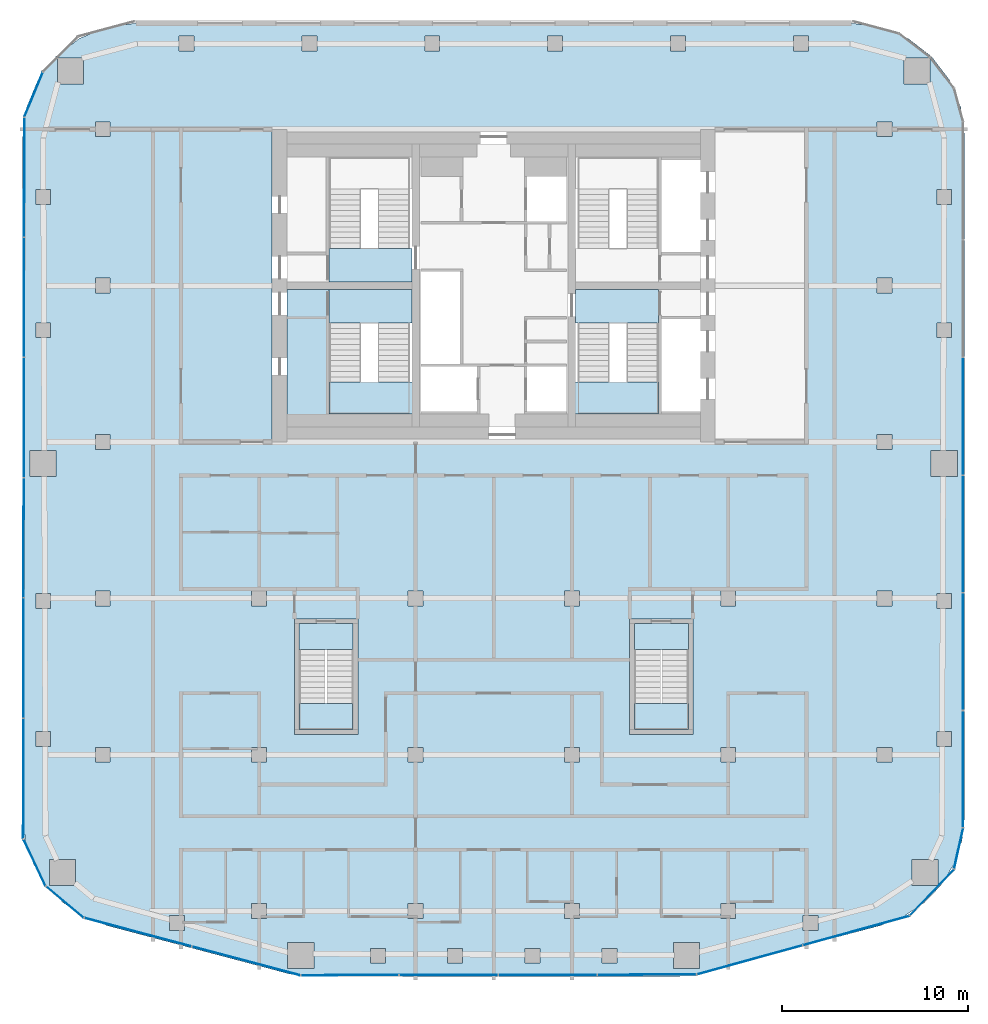
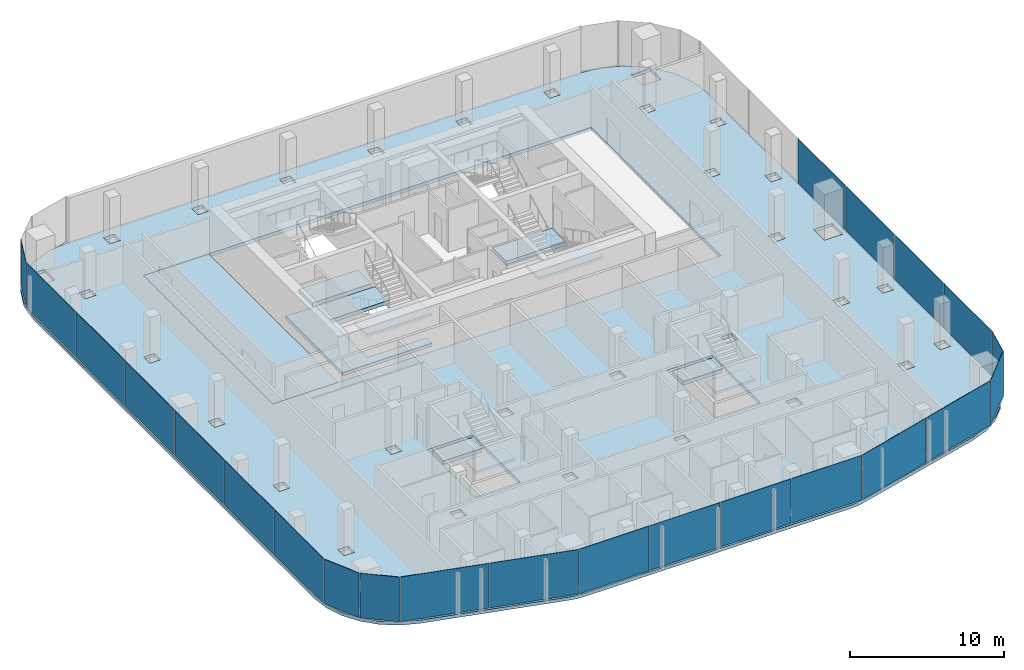
# One storey, part 12 of 20: 23 plates, 12 slabs, 14 elements without a shape of their own.
"""IFC4 building model written with IfcOpenShell, lengths in metres."""

from ifc_helpers import new_model, si_unit, direction, frame, origin, origin_2d, place, context, subcontext, project, spatial, polyline, rectangle, outline, extrude, material, layer, layer_set, type_object, element, aggregate, save


model = new_model("IFC4")

# Units and contexts
model_context = context("Model", 3, precision=1e-05, world=origin(), true_north=direction((0.0, 1.0)))
body_context = subcontext(model_context, "Body", "Model", "MODEL_VIEW")
ifc_project = project(units=[si_unit("LENGTHUNIT", "METRE"), si_unit("AREAUNIT", "SQUARE_METRE"), si_unit("VOLUMEUNIT", "CUBIC_METRE"), si_unit("PLANEANGLEUNIT", "RADIAN"), si_unit("MASSUNIT", "GRAM", prefix="KILO")], contexts=[model_context])

# Site, building, storey
site_placement = place(None, origin())
site = spatial("IfcSite", under=ifc_project, at=site_placement, CompositionType="ELEMENT")
building_placement = place(site_placement, origin())
building = spatial("IfcBuilding", under=site, at=building_placement, Name="Marenta Gate Hotel Tower", CompositionType="ELEMENT")
storey_placement = place(building_placement, frame((0.0, 0.0, 216.5)))
storey = spatial("IfcBuildingStorey", under=building, at=storey_placement, Name="L50", CompositionType="ELEMENT", Elevation=216.5)

# Slabs
ifc_material_1 = material(Name="Concrete C35", Category="concrete")
ifc_layer_1 = layer(ifc_material_1, 0.260009765625)
ifc_layer_set_1 = layer_set([ifc_layer_1], Name="Concrete C35")
slab_type_1 = type_object("IfcSlabType", Name="Concrete floor slab 260", PredefinedType="FLOOR", material=ifc_layer_set_1)
slab_1_placement = place(storey_placement, frame((0.0, 0.0, -0.260009765625)))
element("IfcSlab", 1, at=slab_1_placement, inside=storey, type_object=slab_type_1, Name="L50-SL-1", PredefinedType="FLOOR", context=body_context, shape_type="SweptSolid", body=[
    extrude(outline(polyline([(-23.11376953125, -24.76416015625), (-24.035400390625, -23.803955078125), (-24.72705078125, -22.6669921875), (-25.155517578125, -21.4072265625), (-25.300048828125, -20.08984375), (-25.300048828125, 16.406494140625), (-25.093017578125, 17.97900390625), (-24.483642578125, 19.450439453125), (-23.513916015625, 20.7138671875), (-22.25048828125, 21.68359375), (-20.779052734375, 22.29296875), (-19.20654296875, 22.5), (19.20654296875, 22.5), (20.779052734375, 22.29296875), (22.25048828125, 21.68359375), (23.513916015625, 20.7138671875), (24.483642578125, 19.450439453125), (25.093017578125, 17.97900390625), (25.300048828125, 16.406494140625), (25.300048828125, -20.08984375), (25.155517578125, -21.4072265625), (24.72705078125, -22.6669921875), (24.035400390625, -23.803955078125), (23.11376953125, -24.76416015625), (22.005859375, -25.501220703125), (20.76953125, -25.978759765625), (11.026611328125, -28.563720703125), (10.508544921875, -28.665771484375), (9.981689453125, -28.699951171875), (-9.981689453125, -28.699951171875), (-10.508544921875, -28.665771484375), (-11.026611328125, -28.563720703125), (-20.76953125, -25.978759765625), (-22.005859375, -25.501220703125), (-23.11376953125, -24.76416015625)]), holes=[polyline([(-16.800048828125, 0.0), (16.800048828125, 0.0), (16.800048828125, 16.800048828125), (-16.800048828125, 16.800048828125), (-16.800048828125, 0.0)]), polyline([(-16.606689453125, -25.439208984375), (-17.40673828125, -25.439208984375), (-17.40673828125, -26.239013671875), (-16.606689453125, -26.239013671875), (-16.606689453125, -25.439208984375)]), polyline([(-12.199951171875, -25.60009765625), (-12.199951171875, -24.800048828125), (-13.0, -24.800048828125), (-13.0, -25.60009765625), (-12.199951171875, -25.60009765625)]), polyline([(-22.462890625, -23.8330078125), (-22.462890625, -22.43310546875), (-23.863037109375, -22.43310546875), (-23.863037109375, -23.8330078125), (-22.462890625, -23.8330078125)]), polyline([(-12.199951171875, -16.39990234375), (-13.0, -16.39990234375), (-13.0, -17.199951171875), (-12.199951171875, -17.199951171875), (-12.199951171875, -16.39990234375)]), polyline([(-20.60009765625, -17.199951171875), (-20.60009765625, -16.39990234375), (-21.39990234375, -16.39990234375), (-21.39990234375, -17.199951171875), (-20.60009765625, -17.199951171875)]), polyline([(-23.800048828125, -16.351806640625), (-23.800048828125, -15.552001953125), (-24.60009765625, -15.552001953125), (-24.60009765625, -16.351806640625), (-23.800048828125, -16.351806640625)]), polyline([(-23.800048828125, -8.15087890625), (-24.60009765625, -8.15087890625), (-24.60009765625, -8.950927734375), (-23.800048828125, -8.950927734375), (-23.800048828125, -8.15087890625)]), polyline([(-12.199951171875, -8.800048828125), (-12.199951171875, -8.0), (-13.0, -8.0), (-13.0, -8.800048828125), (-12.199951171875, -8.800048828125)]), polyline([(-20.60009765625, -8.800048828125), (-20.60009765625, -8.0), (-21.39990234375, -8.0), (-21.39990234375, -8.800048828125), (-20.60009765625, -8.800048828125)]), polyline([(-23.5, -0.449951171875), (-24.89990234375, -0.449951171875), (-24.89990234375, -1.85009765625), (-23.5, -1.85009765625), (-23.5, -0.449951171875)]), polyline([(-20.60009765625, -0.39990234375), (-20.60009765625, 0.39990234375), (-21.39990234375, 0.39990234375), (-21.39990234375, -0.39990234375), (-20.60009765625, -0.39990234375)]), polyline([(-23.800048828125, 5.603271484375), (-23.800048828125, 6.4033203125), (-24.60009765625, 6.4033203125), (-24.60009765625, 5.603271484375), (-23.800048828125, 5.603271484375)]), polyline([(-20.60009765625, 8.800048828125), (-21.39990234375, 8.800048828125), (-21.39990234375, 8.0), (-20.60009765625, 8.0), (-20.60009765625, 8.800048828125)]), polyline([(-23.800048828125, 12.75634765625), (-23.800048828125, 13.556396484375), (-24.60009765625, 13.556396484375), (-24.60009765625, 12.75634765625), (-23.800048828125, 12.75634765625)]), polyline([(-20.60009765625, 16.39990234375), (-20.60009765625, 17.199951171875), (-21.39990234375, 17.199951171875), (-21.39990234375, 16.39990234375), (-20.60009765625, 16.39990234375)]), polyline([(-22.035400390625, 20.635498046875), (-23.435546875, 20.635498046875), (-23.435546875, 19.235595703125), (-22.035400390625, 19.235595703125), (-22.035400390625, 20.635498046875)]), polyline([(-16.10693359375, 21.0), (-16.10693359375, 21.800048828125), (-16.906982421875, 21.800048828125), (-16.906982421875, 21.0), (-16.10693359375, 21.0)]), polyline([(-5.820068359375, -28.0), (-5.820068359375, -27.199951171875), (-6.6201171875, -27.199951171875), (-6.6201171875, -28.0), (-5.820068359375, -28.0)]), polyline([(6.6201171875, -27.199951171875), (5.820068359375, -27.199951171875), (5.820068359375, -28.0), (6.6201171875, -28.0), (6.6201171875, -27.199951171875)]), polyline([(2.473388671875, -28.0), (2.473388671875, -27.199951171875), (1.67333984375, -27.199951171875), (1.67333984375, -28.0), (2.473388671875, -28.0)]), polyline([(-1.67333984375, -28.0), (-1.67333984375, -27.199951171875), (-2.473388671875, -27.199951171875), (-2.473388671875, -28.0), (-1.67333984375, -28.0)]), polyline([(-9.666259765625, -28.27490234375), (-9.666259765625, -26.874755859375), (-11.06640625, -26.874755859375), (-11.06640625, -28.27490234375), (-9.666259765625, -28.27490234375)]), polyline([(11.06640625, -28.27490234375), (11.06640625, -26.874755859375), (9.666259765625, -26.874755859375), (9.666259765625, -28.27490234375), (11.06640625, -28.27490234375)]), polyline([(13.0, -25.60009765625), (13.0, -24.800048828125), (12.199951171875, -24.800048828125), (12.199951171875, -25.60009765625), (13.0, -25.60009765625)]), polyline([(4.60009765625, -25.60009765625), (4.60009765625, -24.800048828125), (3.800048828125, -24.800048828125), (3.800048828125, -25.60009765625), (4.60009765625, -25.60009765625)]), polyline([(-3.800048828125, -24.800048828125), (-4.60009765625, -24.800048828125), (-4.60009765625, -25.60009765625), (-3.800048828125, -25.60009765625), (-3.800048828125, -24.800048828125)]), polyline([(4.60009765625, -17.199951171875), (4.60009765625, -16.39990234375), (3.800048828125, -16.39990234375), (3.800048828125, -17.199951171875), (4.60009765625, -17.199951171875)]), polyline([(-3.800048828125, -17.199951171875), (-3.800048828125, -16.39990234375), (-4.60009765625, -16.39990234375), (-4.60009765625, -17.199951171875), (-3.800048828125, -17.199951171875)]), polyline([(4.60009765625, -8.0), (3.800048828125, -8.0), (3.800048828125, -8.800048828125), (4.60009765625, -8.800048828125), (4.60009765625, -8.0)]), polyline([(-3.800048828125, -8.800048828125), (-3.800048828125, -8.0), (-4.60009765625, -8.0), (-4.60009765625, -8.800048828125), (-3.800048828125, -8.800048828125)]), polyline([(-2.9013671875, 21.0), (-2.9013671875, 21.800048828125), (-3.701416015625, 21.800048828125), (-3.701416015625, 21.0), (-2.9013671875, 21.0)]), polyline([(3.701416015625, 21.800048828125), (2.9013671875, 21.800048828125), (2.9013671875, 21.0), (3.701416015625, 21.0), (3.701416015625, 21.800048828125)]), polyline([(10.30419921875, 21.0), (10.30419921875, 21.800048828125), (9.504150390625, 21.800048828125), (9.504150390625, 21.0), (10.30419921875, 21.0)]), polyline([(-9.504150390625, 21.0), (-9.504150390625, 21.800048828125), (-10.30419921875, 21.800048828125), (-10.30419921875, 21.0), (-9.504150390625, 21.0)]), polyline([(17.40673828125, -25.439208984375), (16.606689453125, -25.439208984375), (16.606689453125, -26.239013671875), (17.40673828125, -26.239013671875), (17.40673828125, -25.439208984375)]), polyline([(23.863037109375, -23.8330078125), (23.863037109375, -22.43310546875), (22.462890625, -22.43310546875), (22.462890625, -23.8330078125), (23.863037109375, -23.8330078125)]), polyline([(13.0, -17.199951171875), (13.0, -16.39990234375), (12.199951171875, -16.39990234375), (12.199951171875, -17.199951171875), (13.0, -17.199951171875)]), polyline([(21.39990234375, -16.39990234375), (20.60009765625, -16.39990234375), (20.60009765625, -17.199951171875), (21.39990234375, -17.199951171875), (21.39990234375, -16.39990234375)]), polyline([(24.60009765625, -16.351806640625), (24.60009765625, -15.552001953125), (23.800048828125, -15.552001953125), (23.800048828125, -16.351806640625), (24.60009765625, -16.351806640625)]), polyline([(24.60009765625, -8.950927734375), (24.60009765625, -8.15087890625), (23.800048828125, -8.15087890625), (23.800048828125, -8.950927734375), (24.60009765625, -8.950927734375)]), polyline([(13.0, -8.0), (12.199951171875, -8.0), (12.199951171875, -8.800048828125), (13.0, -8.800048828125), (13.0, -8.0)]), polyline([(21.39990234375, -8.800048828125), (21.39990234375, -8.0), (20.60009765625, -8.0), (20.60009765625, -8.800048828125), (21.39990234375, -8.800048828125)]), polyline([(24.89990234375, -1.85009765625), (24.89990234375, -0.449951171875), (23.5, -0.449951171875), (23.5, -1.85009765625), (24.89990234375, -1.85009765625)]), polyline([(21.39990234375, 0.39990234375), (20.60009765625, 0.39990234375), (20.60009765625, -0.39990234375), (21.39990234375, -0.39990234375), (21.39990234375, 0.39990234375)]), polyline([(24.60009765625, 5.603271484375), (24.60009765625, 6.4033203125), (23.800048828125, 6.4033203125), (23.800048828125, 5.603271484375), (24.60009765625, 5.603271484375)]), polyline([(21.39990234375, 8.0), (21.39990234375, 8.800048828125), (20.60009765625, 8.800048828125), (20.60009765625, 8.0), (21.39990234375, 8.0)]), polyline([(24.60009765625, 12.75634765625), (24.60009765625, 13.556396484375), (23.800048828125, 13.556396484375), (23.800048828125, 12.75634765625), (24.60009765625, 12.75634765625)]), polyline([(21.39990234375, 16.39990234375), (21.39990234375, 17.199951171875), (20.60009765625, 17.199951171875), (20.60009765625, 16.39990234375), (21.39990234375, 16.39990234375)]), polyline([(23.435546875, 19.235595703125), (23.435546875, 20.635498046875), (22.035400390625, 20.635498046875), (22.035400390625, 19.235595703125), (23.435546875, 19.235595703125)]), polyline([(16.906982421875, 21.0), (16.906982421875, 21.800048828125), (16.10693359375, 21.800048828125), (16.10693359375, 21.0), (16.906982421875, 21.0)]), polyline([(-7.300048828125, -15.699951171875), (-7.300048828125, -9.5), (-10.699951171875, -9.5), (-10.699951171875, -15.699951171875), (-7.300048828125, -15.699951171875)]), polyline([(10.699951171875, -15.699951171875), (10.699951171875, -9.5), (7.300048828125, -9.5), (7.300048828125, -15.699951171875), (10.699951171875, -15.699951171875)])]), origin(), (0.0, 0.0, 1.0), 0.260009765625),
])
ifc_material_2 = material(Name="Concrete C40", Category="concrete")
ifc_layer_2 = layer(ifc_material_2, 0.260009765625)
ifc_layer_set_2 = layer_set([ifc_layer_2], Name="Concrete C40")
slab_type_2 = type_object("IfcSlabType", Name="Core floor slab 260", PredefinedType="FLOOR", material=ifc_layer_set_2)
slab_2_placement = place(storey_placement, frame((0.0, 0.0, -0.260009765625)))
element("IfcSlab", 2, at=slab_2_placement, inside=storey, type_object=slab_type_2, Name="L50-CF-5", PredefinedType="FLOOR", context=body_context, shape_type="SweptSolid", body=[
    extrude(outline(polyline([(-8.85009765625, 8.199951171875), (-8.85009765625, 8.10009765625), (-8.85009765625, 6.39990234375), (-8.85009765625, 1.5), (-4.39990234375, 1.5), (-4.39990234375, 0.800048828125), (-11.10009765625, 0.800048828125), (-11.10009765625, 8.199951171875), (-8.85009765625, 8.199951171875)])), origin(), (0.0, 0.0, 1.0), 0.260009765625),
])
slab_3_placement = place(storey_placement, frame((0.0, 0.0, -0.260009765625)))
element("IfcSlab", 3, at=slab_3_placement, inside=storey, type_object=slab_type_2, Name="L50-CF-7", PredefinedType="FLOOR", context=body_context, shape_type="SweptSolid", body=[
    extrude(outline(polyline([(-11.89990234375, 16.800048828125), (-11.89990234375, 0.0), (-16.800048828125, 0.0), (-16.800048828125, 16.800048828125), (-11.89990234375, 16.800048828125)])), origin(), (0.0, 0.0, 1.0), 0.260009765625),
])

# Stair, slab
ifc_material_3 = material(Name="Concrete C40", Category="concrete")
stair_type_1 = type_object("IfcStairType", Name="Core exit stair 1700 wide", PredefinedType="HALF_TURN_STAIR", material=ifc_material_3)
stair_1_placement = place(storey_placement, origin())
stair_1 = element("IfcStair", 4, at=stair_1_placement, inside=storey, type_object=stair_type_1, Name="Exit stair 1", PredefinedType="HALF_TURN_STAIR")
ifc_material_4 = material(Name="Concrete C40", Category="concrete")
ifc_layer_3 = layer(ifc_material_4, 0.199951171875)
ifc_layer_set_3 = layer_set([ifc_layer_3], Name="Concrete C40")
slab_type_3 = type_object("IfcSlabType", Name="Core stair landing 200", PredefinedType="LANDING", material=ifc_layer_set_3)
slab_4_placement = place(storey_placement, frame((0.0, 0.0, 1.60009765625)))
slab_4 = element("IfcSlab", 5, at=slab_4_placement, type_object=slab_type_3, Name="SL-200 ST1 landing 1", PredefinedType="LANDING", context=body_context, shape_type="SweptSolid", body=[
    extrude(outline(polyline([(-8.85009765625, 1.5), (-4.0, 1.5), (-4.0, 3.2099609375), (-8.85009765625, 3.2099609375), (-8.85009765625, 1.5)])), origin(), (0.0, 0.0, 1.0), 0.199951171875),
])
aggregate(stair_1, [slab_4])

stair_2_placement = place(storey_placement, origin())
stair_2 = element("IfcStair", 6, at=stair_2_placement, inside=storey, type_object=stair_type_1, Name="Exit stair 3", PredefinedType="HALF_TURN_STAIR")
slab_5_placement = place(storey_placement, frame((0.0, 0.0, 1.60009765625)))
slab_5 = element("IfcSlab", 7, at=slab_5_placement, type_object=slab_type_3, Name="SL-200 ST3 landing 1", PredefinedType="LANDING", context=body_context, shape_type="SweptSolid", body=[
    extrude(outline(polyline([(4.0, 1.5), (8.85009765625, 1.5), (8.85009765625, 3.2099609375), (4.0, 3.2099609375), (4.0, 1.5)])), origin(), (0.0, 0.0, 1.0), 0.199951171875),
])
aggregate(stair_2, [slab_5])

# Curtain wall, plate
ifc_material_5 = material(Name="Tinted insulated glass in bronze anodised frame", Category="glass")
ifc_layer_4 = layer(ifc_material_5, 0.1201171875)
ifc_layer_set_4 = layer_set([ifc_layer_4], Name="Tinted insulated glass in bronze anodised frame")
curtain_wall_type = type_object("IfcCurtainWallType", Name="Tower unitised curtain wall CW1", PredefinedType="NOTDEFINED", material=ifc_layer_set_4)
curtain_wall_1_placement = place(storey_placement, origin())
curtain_wall_1 = element("IfcCurtainWall", 8, at=curtain_wall_1_placement, inside=storey, type_object=curtain_wall_type, Name="CW1 run G02", PredefinedType="NOTDEFINED")
ifc_material_6 = material(Name="Tinted insulated glass", Category="glass")
ifc_layer_5 = layer(ifc_material_6, 0.028076171875)
ifc_layer_set_5 = layer_set([ifc_layer_5], Name="Tinted insulated glass")
plate_type = type_object("IfcPlateType", Name="Glass panel CW1 28 mm tinted insulated unit", PredefinedType="CURTAIN_PANEL", material=ifc_layer_set_5)
plate_1_placement = place(storey_placement, frame((-24.719482421875, 18.656005859375, 0.06005859375), z_axis=(0.0, 0.0, 1.0), x_axis=(-0.382666772044, -0.923886433266, 0.0)))
plate_1 = element("IfcPlate", 9, at=plate_1_placement, type_object=plate_type, Name="CW1 panel 1.1", PredefinedType="CURTAIN_PANEL", context=body_context, shape_type="SweptSolid", body=[
    extrude(rectangle(XDim=2.57568359375, YDim=0.028076171875, at=origin_2d()), origin(), (0.0, 0.0, 1.0), 3.5400390625),
])
aggregate(curtain_wall_1, [plate_1])

# Curtain wall, plates
curtain_wall_2_placement = place(storey_placement, origin())
curtain_wall_2 = element("IfcCurtainWall", 10, at=curtain_wall_2_placement, inside=storey, type_object=curtain_wall_type, Name="CW1 run G03", PredefinedType="NOTDEFINED")
plate_2_placement = place(storey_placement, frame((-25.21728515625, 14.22119140625, 0.06005859375), z_axis=(0.0, 0.0, 1.0), x_axis=(-0.001566045546, -0.99999877375, 0.0)))
plate_2 = element("IfcPlate", 11, at=plate_2_placement, type_object=plate_type, Name="CW1 panel 1.1", PredefinedType="CURTAIN_PANEL", context=body_context, shape_type="SweptSolid", body=[
    extrude(rectangle(XDim=6.3701171875, YDim=0.028076171875, at=origin_2d()), origin(), (0.0, 0.0, 1.0), 3.5400390625),
])
plate_3_placement = place(storey_placement, frame((-25.2275390625, 7.776123046875, 0.06005859375), z_axis=(0.0, 0.0, 1.0), x_axis=(-0.001566045546, -0.99999877375, 0.0)))
plate_3 = element("IfcPlate", 12, at=plate_3_placement, type_object=plate_type, Name="CW1 panel 2.1", PredefinedType="CURTAIN_PANEL", context=body_context, shape_type="SweptSolid", body=[
    extrude(rectangle(XDim=6.39990234375, YDim=0.028076171875, at=origin_2d()), origin(), (0.0, 0.0, 1.0), 3.5400390625),
])
plate_4_placement = place(storey_placement, frame((-25.237548828125, 1.316162109375, 0.06005859375), z_axis=(0.0, 0.0, 1.0), x_axis=(-0.001566045546, -0.99999877375, 0.0)))
plate_4 = element("IfcPlate", 13, at=plate_4_placement, type_object=plate_type, Name="CW1 panel 3.1", PredefinedType="CURTAIN_PANEL", context=body_context, shape_type="SweptSolid", body=[
    extrude(rectangle(XDim=6.39990234375, YDim=0.028076171875, at=origin_2d()), origin(), (0.0, 0.0, 1.0), 3.5400390625),
])
plate_5_placement = place(storey_placement, frame((-25.247802734375, -5.143798828125, 0.06005859375), z_axis=(0.0, 0.0, 1.0), x_axis=(-0.001566045546, -0.99999877375, 0.0)))
plate_5 = element("IfcPlate", 14, at=plate_5_placement, type_object=plate_type, Name="CW1 panel 4.1", PredefinedType="CURTAIN_PANEL", context=body_context, shape_type="SweptSolid", body=[
    extrude(rectangle(XDim=6.39990234375, YDim=0.028076171875, at=origin_2d()), origin(), (0.0, 0.0, 1.0), 3.5400390625),
])
plate_6_placement = place(storey_placement, frame((-25.2578125, -11.603759765625, 0.06005859375), z_axis=(0.0, 0.0, 1.0), x_axis=(-0.001566045546, -0.99999877375, 0.0)))
plate_6 = element("IfcPlate", 15, at=plate_6_placement, type_object=plate_type, Name="CW1 panel 5.1", PredefinedType="CURTAIN_PANEL", context=body_context, shape_type="SweptSolid", body=[
    extrude(rectangle(XDim=6.39990234375, YDim=0.028076171875, at=origin_2d()), origin(), (0.0, 0.0, 1.0), 3.5400390625),
])
plate_7_placement = place(storey_placement, frame((-25.26806640625, -18.078857421875, 0.06005859375), z_axis=(0.0, 0.0, 1.0), x_axis=(-0.001566045546, -0.99999877375, 0.0)))
plate_7 = element("IfcPlate", 16, at=plate_7_placement, type_object=plate_type, Name="CW1 panel 6.1", PredefinedType="CURTAIN_PANEL", context=body_context, shape_type="SweptSolid", body=[
    extrude(rectangle(XDim=6.429931640625, YDim=0.028076171875, at=origin_2d()), origin(), (0.0, 0.0, 1.0), 3.5400390625),
])
aggregate(curtain_wall_2, [plate_2, plate_3, plate_4, plate_5, plate_6, plate_7])

# Curtain wall, plate
curtain_wall_3_placement = place(storey_placement, origin())
curtain_wall_3 = element("IfcCurtainWall", 17, at=curtain_wall_3_placement, inside=storey, type_object=curtain_wall_type, Name="CW1 run G04", PredefinedType="NOTDEFINED")
plate_8_placement = place(storey_placement, frame((-24.665283203125, -22.594482421875, 0.06005859375), z_axis=(0.0, 0.0, 1.0), x_axis=(0.42333719762, -0.905972194447, 0.0)))
plate_8 = element("IfcPlate", 18, at=plate_8_placement, type_object=plate_type, Name="CW1 panel 1.1", PredefinedType="CURTAIN_PANEL", context=body_context, shape_type="SweptSolid", body=[
    extrude(rectangle(XDim=2.751220703125, YDim=0.028076171875, at=origin_2d()), origin(), (0.0, 0.0, 1.0), 3.5400390625),
])
aggregate(curtain_wall_3, [plate_8])

curtain_wall_4_placement = place(storey_placement, origin())
curtain_wall_4 = element("IfcCurtainWall", 19, at=curtain_wall_4_placement, inside=storey, type_object=curtain_wall_type, Name="CW1 run G05", PredefinedType="NOTDEFINED")
plate_9_placement = place(storey_placement, frame((-23.0361328125, -24.716064453125, 0.06005859375), z_axis=(0.0, 0.0, 1.0), x_axis=(0.767102345594, -0.641524739495, 0.0)))
plate_9 = element("IfcPlate", 20, at=plate_9_placement, type_object=plate_type, Name="CW1 panel 1.1", PredefinedType="CURTAIN_PANEL", context=body_context, shape_type="SweptSolid", body=[
    extrude(rectangle(XDim=2.609375, YDim=0.028076171875, at=origin_2d()), origin(), (0.0, 0.0, 1.0), 3.5400390625),
])
aggregate(curtain_wall_4, [plate_9])

# Curtain wall, plates
curtain_wall_5_placement = place(storey_placement, origin())
curtain_wall_5 = element("IfcCurtainWall", 21, at=curtain_wall_5_placement, inside=storey, type_object=curtain_wall_type, Name="CW1 run G06", PredefinedType="NOTDEFINED")
plate_10_placement = place(storey_placement, frame((-19.113525390625, -26.33056640625, 0.06005859375), z_axis=(0.0, 0.0, 1.0), x_axis=(0.966374375295, -0.257139197271, 0.0)))
plate_10 = element("IfcPlate", 22, at=plate_10_placement, type_object=plate_type, Name="CW1 panel 1.1", PredefinedType="CURTAIN_PANEL", context=body_context, shape_type="SweptSolid", body=[
    extrude(rectangle(XDim=5.927001953125, YDim=0.028076171875, at=origin_2d()), origin(), (0.0, 0.0, 1.0), 3.5400390625),
])
plate_11_placement = place(storey_placement, frame((-13.298828125, -27.877685546875, 0.06005859375), z_axis=(0.0, 0.0, 1.0), x_axis=(0.966374375295, -0.257139197271, 0.0)))
plate_11 = element("IfcPlate", 23, at=plate_11_placement, type_object=plate_type, Name="CW1 panel 2.1", PredefinedType="CURTAIN_PANEL", context=body_context, shape_type="SweptSolid", body=[
    extrude(rectangle(XDim=5.987060546875, YDim=0.028076171875, at=origin_2d()), origin(), (0.0, 0.0, 1.0), 3.5400390625),
])
aggregate(curtain_wall_5, [plate_10, plate_11])

curtain_wall_6_placement = place(storey_placement, origin())
curtain_wall_6 = element("IfcCurtainWall", 24, at=curtain_wall_6_placement, inside=storey, type_object=curtain_wall_type, Name="CW1 run G07", PredefinedType="NOTDEFINED")
plate_12_placement = place(storey_placement, frame((-7.73095703125, -28.64306640625, 0.06005859375), z_axis=(0.0, 0.0, 1.0), x_axis=(0.999998647385, 0.001644757804, 0.0)))
plate_12 = element("IfcPlate", 25, at=plate_12_placement, type_object=plate_type, Name="CW1 panel 1.1", PredefinedType="CURTAIN_PANEL", context=body_context, shape_type="SweptSolid", body=[
    extrude(rectangle(XDim=5.22998046875, YDim=0.028076171875, at=origin_2d()), origin(), (0.0, 0.0, 1.0), 3.5400390625),
])
plate_13_placement = place(storey_placement, frame((-2.426025390625, -28.63427734375, 0.06005859375), z_axis=(0.0, 0.0, 1.0), x_axis=(0.999998647385, 0.001644757804, 0.0)))
plate_13 = element("IfcPlate", 26, at=plate_13_placement, type_object=plate_type, Name="CW1 panel 2.1", PredefinedType="CURTAIN_PANEL", context=body_context, shape_type="SweptSolid", body=[
    extrude(rectangle(XDim=5.260009765625, YDim=0.028076171875, at=origin_2d()), origin(), (0.0, 0.0, 1.0), 3.5400390625),
])
plate_14_placement = place(storey_placement, frame((2.893798828125, -28.625732421875, 0.06005859375), z_axis=(0.0, 0.0, 1.0), x_axis=(0.999998647385, 0.001644757804, 0.0)))
plate_14 = element("IfcPlate", 27, at=plate_14_placement, type_object=plate_type, Name="CW1 panel 3.1", PredefinedType="CURTAIN_PANEL", context=body_context, shape_type="SweptSolid", body=[
    extrude(rectangle(XDim=5.260009765625, YDim=0.028076171875, at=origin_2d()), origin(), (0.0, 0.0, 1.0), 3.5400390625),
])
plate_15_placement = place(storey_placement, frame((8.228759765625, -28.616943359375, 0.06005859375), z_axis=(0.0, 0.0, 1.0), x_axis=(0.999998647385, 0.001644757804, 0.0)))
plate_15 = element("IfcPlate", 28, at=plate_15_placement, type_object=plate_type, Name="CW1 panel 4.1", PredefinedType="CURTAIN_PANEL", context=body_context, shape_type="SweptSolid", body=[
    extrude(rectangle(XDim=5.289794921875, YDim=0.028076171875, at=origin_2d()), origin(), (0.0, 0.0, 1.0), 3.5400390625),
])
aggregate(curtain_wall_6, [plate_12, plate_13, plate_14, plate_15])

curtain_wall_7_placement = place(storey_placement, origin())
curtain_wall_7 = element("IfcCurtainWall", 29, at=curtain_wall_7_placement, inside=storey, type_object=curtain_wall_type, Name="CW1 run G08", PredefinedType="NOTDEFINED")
plate_16_placement = place(storey_placement, frame((13.7509765625, -27.82080078125, 0.06005859375), z_axis=(0.0, 0.0, 1.0), x_axis=(0.964167765212, 0.265293272675, 0.0)))
plate_16 = element("IfcPlate", 30, at=plate_16_placement, type_object=plate_type, Name="CW1 panel 1.1", PredefinedType="CURTAIN_PANEL", context=body_context, shape_type="SweptSolid", body=[
    extrude(rectangle(XDim=5.848388671875, YDim=0.028076171875, at=origin_2d()), origin(), (0.0, 0.0, 1.0), 3.5400390625),
])
plate_17_placement = place(storey_placement, frame((19.4765625, -26.245361328125, 0.06005859375), z_axis=(0.0, 0.0, 1.0), x_axis=(0.964167765212, 0.265293272675, 0.0)))
plate_17 = element("IfcPlate", 31, at=plate_17_placement, type_object=plate_type, Name="CW1 panel 2.1", PredefinedType="CURTAIN_PANEL", context=body_context, shape_type="SweptSolid", body=[
    extrude(rectangle(XDim=5.908203125, YDim=0.028076171875, at=origin_2d()), origin(), (0.0, 0.0, 1.0), 3.5400390625),
])
aggregate(curtain_wall_7, [plate_16, plate_17])

# Curtain wall, plate
curtain_wall_8_placement = place(storey_placement, origin())
curtain_wall_8 = element("IfcCurtainWall", 32, at=curtain_wall_8_placement, inside=storey, type_object=curtain_wall_type, Name="CW1 run G09", PredefinedType="NOTDEFINED")
plate_18_placement = place(storey_placement, frame((23.543212890625, -24.1923828125, 0.06005859375), z_axis=(0.0, 0.0, 1.0), x_axis=(0.692548076564, 0.72137172224, 0.0)))
plate_18 = element("IfcPlate", 33, at=plate_18_placement, type_object=plate_type, Name="CW1 panel 1.1", PredefinedType="CURTAIN_PANEL", context=body_context, shape_type="SweptSolid", body=[
    extrude(rectangle(XDim=3.39892578125, YDim=0.028076171875, at=origin_2d()), origin(), (0.0, 0.0, 1.0), 3.5400390625),
])
aggregate(curtain_wall_8, [plate_18])

curtain_wall_9_placement = place(storey_placement, origin())
curtain_wall_9 = element("IfcCurtainWall", 34, at=curtain_wall_9_placement, inside=storey, type_object=curtain_wall_type, Name="CW1 run G10", PredefinedType="NOTDEFINED")
plate_19_placement = place(storey_placement, frame((24.9736328125, -21.825927734375, 0.06005859375), z_axis=(0.0, 0.0, 1.0), x_axis=(0.216842096529, 0.97620669183, 0.0)))
plate_19 = element("IfcPlate", 35, at=plate_19_placement, type_object=plate_type, Name="CW1 panel 1.1", PredefinedType="CURTAIN_PANEL", context=body_context, shape_type="SweptSolid", body=[
    extrude(rectangle(XDim=2.216796875, YDim=0.028076171875, at=origin_2d()), origin(), (0.0, 0.0, 1.0), 3.5400390625),
])
aggregate(curtain_wall_9, [plate_19])

# Curtain wall, plates
curtain_wall_10_placement = place(storey_placement, origin())
curtain_wall_10 = element("IfcCurtainWall", 36, at=curtain_wall_10_placement, inside=storey, type_object=curtain_wall_type, Name="CW1 run G11", PredefinedType="NOTDEFINED")
plate_20_placement = place(storey_placement, frame((25.214111328125, -17.567626953125, 0.06005859375), z_axis=(0.0, 0.0, 1.0), x_axis=(0.0, 1.0, 0.0)))
plate_20 = element("IfcPlate", 37, at=plate_20_placement, type_object=plate_type, Name="CW1 panel 1.1", PredefinedType="CURTAIN_PANEL", context=body_context, shape_type="SweptSolid", body=[
    extrude(rectangle(XDim=6.232666015625, YDim=0.028076171875, at=origin_2d()), origin(), (0.0, 0.0, 1.0), 3.5400390625),
])
plate_21_placement = place(storey_placement, frame((25.214111328125, -11.260009765625, 0.06005859375), z_axis=(0.0, 0.0, 1.0), x_axis=(0.0, 1.0, 0.0)))
plate_21 = element("IfcPlate", 38, at=plate_21_placement, type_object=plate_type, Name="CW1 panel 2.1", PredefinedType="CURTAIN_PANEL", context=body_context, shape_type="SweptSolid", body=[
    extrude(rectangle(XDim=6.2626953125, YDim=0.028076171875, at=origin_2d()), origin(), (0.0, 0.0, 1.0), 3.5400390625),
])
plate_22_placement = place(storey_placement, frame((25.214111328125, -4.937255859375, 0.06005859375), z_axis=(0.0, 0.0, 1.0), x_axis=(0.0, 1.0, 0.0)))
plate_22 = element("IfcPlate", 39, at=plate_22_placement, type_object=plate_type, Name="CW1 panel 3.1", PredefinedType="CURTAIN_PANEL", context=body_context, shape_type="SweptSolid", body=[
    extrude(rectangle(XDim=6.2626953125, YDim=0.028076171875, at=origin_2d()), origin(), (0.0, 0.0, 1.0), 3.5400390625),
])
plate_23_placement = place(storey_placement, frame((25.214111328125, 1.38525390625, 0.06005859375), z_axis=(0.0, 0.0, 1.0), x_axis=(0.0, 1.0, 0.0)))
plate_23 = element("IfcPlate", 40, at=plate_23_placement, type_object=plate_type, Name="CW1 panel 4.1", PredefinedType="CURTAIN_PANEL", context=body_context, shape_type="SweptSolid", body=[
    extrude(rectangle(XDim=6.2626953125, YDim=0.028076171875, at=origin_2d()), origin(), (0.0, 0.0, 1.0), 3.5400390625),
])
aggregate(curtain_wall_10, [plate_20, plate_21, plate_22, plate_23])

# Stair, slab
ifc_material_7 = material(Name="Concrete C40", Category="concrete")
stair_type_2 = type_object("IfcStairType", Name="Remote exit stair 1400 wide", PredefinedType="HALF_TURN_STAIR", material=ifc_material_7)
stair_3_placement = place(storey_placement, origin())
stair_3 = element("IfcStair", 41, at=stair_3_placement, inside=storey, type_object=stair_type_2, Name="Exit stair RS-Z3-1", PredefinedType="HALF_TURN_STAIR")
ifc_material_8 = material(Name="Concrete C40", Category="concrete")
ifc_layer_6 = layer(ifc_material_8, 0.199951171875)
ifc_layer_set_6 = layer_set([ifc_layer_6], Name="Concrete C40")
slab_type_4 = type_object("IfcSlabType", Name="Remote stair landing 200", PredefinedType="LANDING", material=ifc_layer_set_6)
slab_6_placement = place(storey_placement, frame((0.0, 0.0, 1.60009765625)))
slab_6 = element("IfcSlab", 42, at=slab_6_placement, type_object=slab_type_4, Name="RL-200 RS-Z3-1 landing 1", PredefinedType="LANDING", context=body_context, shape_type="SweptSolid", body=[
    extrude(outline(polyline([(-10.449951171875, -15.449951171875), (-7.550048828125, -15.449951171875), (-7.550048828125, -14.050048828125), (-10.449951171875, -14.050048828125), (-10.449951171875, -15.449951171875)])), origin(), (0.0, 0.0, 1.0), 0.199951171875),
])
aggregate(stair_3, [slab_6])

stair_4_placement = place(storey_placement, origin())
stair_4 = element("IfcStair", 43, at=stair_4_placement, inside=storey, type_object=stair_type_2, Name="Exit stair RS-Z3-2", PredefinedType="HALF_TURN_STAIR")
slab_7_placement = place(storey_placement, frame((0.0, 0.0, 1.60009765625)))
slab_7 = element("IfcSlab", 44, at=slab_7_placement, type_object=slab_type_4, Name="RL-200 RS-Z3-2 landing 1", PredefinedType="LANDING", context=body_context, shape_type="SweptSolid", body=[
    extrude(outline(polyline([(7.550048828125, -15.449951171875), (10.449951171875, -15.449951171875), (10.449951171875, -14.050048828125), (7.550048828125, -14.050048828125), (7.550048828125, -15.449951171875)])), origin(), (0.0, 0.0, 1.0), 0.199951171875),
])
aggregate(stair_4, [slab_7])

# Slabs
ifc_material_9 = material(Name="Concrete C40", Category="concrete")
ifc_layer_7 = layer(ifc_material_9, 0.300048828125)
ifc_layer_set_7 = layer_set([ifc_layer_7], Name="Concrete C40")
slab_type_5 = type_object("IfcSlabType", Name="Stair floor landing slab 300", PredefinedType="FLOOR", material=ifc_layer_set_7)
slab_8_placement = place(storey_placement, frame((0.0, 0.0, -0.300048828125)))
element("IfcSlab", 45, at=slab_8_placement, inside=storey, type_object=slab_type_5, Name="L50-CL-ST1-1", PredefinedType="FLOOR", context=body_context, shape_type="SweptSolid", body=[
    extrude(outline(polyline([(-4.39990234375, 6.39990234375), (-8.85009765625, 6.39990234375), (-8.85009765625, 8.10009765625), (-8.85009765625, 8.199951171875), (-4.39990234375, 8.199951171875), (-4.39990234375, 6.39990234375)])), origin(), (0.0, 0.0, 1.0), 0.300048828125),
])
slab_9_placement = place(storey_placement, frame((0.0, 0.0, -0.300048828125)))
element("IfcSlab", 46, at=slab_9_placement, inside=storey, type_object=slab_type_5, Name="L50-CL-ST2-1", PredefinedType="FLOOR", context=body_context, shape_type="SweptSolid", body=[
    extrude(outline(polyline([(-4.39990234375, 8.60009765625), (-8.85009765625, 8.60009765625), (-8.85009765625, 8.699951171875), (-8.85009765625, 10.39990234375), (-4.39990234375, 10.39990234375), (-4.39990234375, 8.60009765625)])), origin(), (0.0, 0.0, 1.0), 0.300048828125),
])
slab_10_placement = place(storey_placement, frame((0.0, 0.0, -0.300048828125)))
element("IfcSlab", 47, at=slab_10_placement, inside=storey, type_object=slab_type_5, Name="L50-CL-ST3-1", PredefinedType="FLOOR", context=body_context, shape_type="SweptSolid", body=[
    extrude(outline(polyline([(4.39990234375, 6.39990234375), (4.39990234375, 8.199951171875), (8.85009765625, 8.199951171875), (8.85009765625, 8.10009765625), (8.85009765625, 6.39990234375), (4.39990234375, 6.39990234375)])), origin(), (0.0, 0.0, 1.0), 0.300048828125),
])
slab_11_placement = place(storey_placement, frame((0.0, 0.0, -0.300048828125)))
element("IfcSlab", 48, at=slab_11_placement, inside=storey, type_object=slab_type_5, Name="L50-RS-Z3-1-CL", PredefinedType="FLOOR", context=body_context, shape_type="SweptSolid", body=[
    extrude(outline(polyline([(-7.550048828125, -11.14990234375), (-7.550048828125, -9.75), (-10.449951171875, -9.75), (-10.449951171875, -11.14990234375), (-7.550048828125, -11.14990234375)])), origin(), (0.0, 0.0, 1.0), 0.300048828125),
])
slab_12_placement = place(storey_placement, frame((0.0, 0.0, -0.300048828125)))
element("IfcSlab", 49, at=slab_12_placement, inside=storey, type_object=slab_type_5, Name="L50-RS-Z3-2-CL", PredefinedType="FLOOR", context=body_context, shape_type="SweptSolid", body=[
    extrude(outline(polyline([(10.449951171875, -11.14990234375), (10.449951171875, -9.75), (7.550048828125, -9.75), (7.550048828125, -11.14990234375), (10.449951171875, -11.14990234375)])), origin(), (0.0, 0.0, 1.0), 0.300048828125),
])

save(model, "model.ifc")
